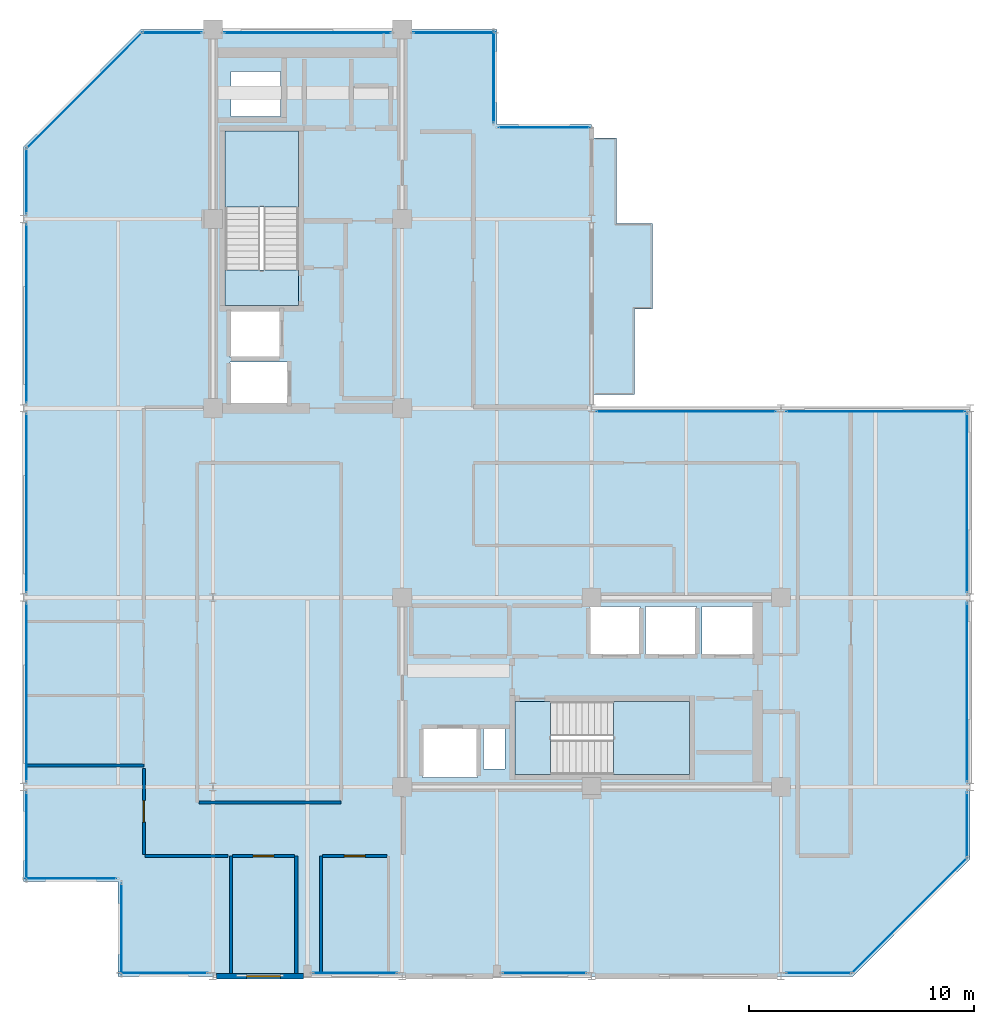
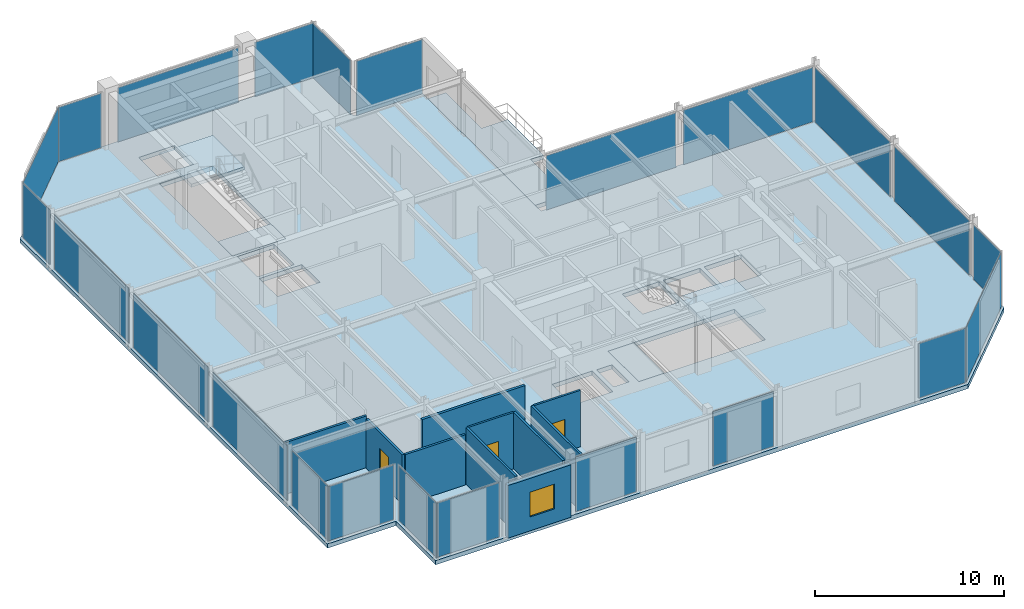
# One storey, part 20 of 26: 23 plates, 10 walls, 6 slabs, 3 doors, 1 window, 4 openings, 25 elements without a shape of their own.
"""IFC4 building model written with IfcOpenShell, lengths in metres."""

from ifc_helpers import new_model, si_unit, direction, frame, frame_2d, origin, origin_2d, place, context, subcontext, project, spatial, polyline, rectangle, outline, extrude, material, layer, layer_set, type_object, element, fill, aggregate, save


model = new_model("IFC4")

# Units and contexts
model_context = context("Model", 3, precision=1e-05, world=origin(), true_north=direction((0.0, 1.0)))
body_context = subcontext(model_context, "Body", "Model", "MODEL_VIEW")
ifc_project = project(units=[si_unit("LENGTHUNIT", "METRE"), si_unit("AREAUNIT", "SQUARE_METRE"), si_unit("VOLUMEUNIT", "CUBIC_METRE"), si_unit("PLANEANGLEUNIT", "RADIAN"), si_unit("MASSUNIT", "GRAM", prefix="KILO")], contexts=[model_context])

# Site, building, storey
site_placement = place(None, origin())
site = spatial("IfcSite", under=ifc_project, at=site_placement, CompositionType="ELEMENT")
building_placement = place(site_placement, origin())
building = spatial("IfcBuilding", under=site, at=building_placement, Name="Nerrivon Quay Data Exchange", CompositionType="ELEMENT")
storey_placement = place(building_placement, frame((0.0, 0.0, 282.199951171875)))
storey = spatial("IfcBuildingStorey", under=building, at=storey_placement, Name="L67", CompositionType="ELEMENT", Elevation=282.199951171875)

# Curtain wall, plate
ifc_material_1 = material(Name="Anodised aluminium 6063-T6", Category="aluminium")
ifc_layer_1 = layer(ifc_material_1, 0.195068359375)
ifc_layer_set_1 = layer_set([ifc_layer_1], Name="Anodised aluminium 6063-T6")
curtain_wall_type = type_object("IfcCurtainWallType", Name="CW-SYS-06", PredefinedType="NOTDEFINED", material=ifc_layer_set_1)
curtain_wall_1_placement = place(storey_placement, origin())
curtain_wall_1 = element("IfcCurtainWall", 1, at=curtain_wall_1_placement, inside=storey, type_object=curtain_wall_type, Name="L67 Unitised Curtain Wall 1", PredefinedType="NOTDEFINED")
ifc_material_2 = material(Name="Double-glazed low-E solar control glass", Category="glass")
ifc_layer_2 = layer(ifc_material_2, 0.028076171875)
ifc_layer_set_2 = layer_set([ifc_layer_2], Name="Double-glazed low-E solar control glass")
plate_type = type_object("IfcPlateType", Name="CWP-GLZ-28", PredefinedType="CURTAIN_PANEL", material=ifc_layer_set_2)
plate_1_placement = place(storey_placement, frame((39.301025390625, 2.698974609375, 0.06494140625), z_axis=(0.0, 0.0, 1.0), x_axis=(-0.707106781187, -0.707106781187, 0.0)))
plate_1 = element("IfcPlate", 2, at=plate_1_placement, type_object=plate_type, Name="CW06 panel 1.1", PredefinedType="CURTAIN_PANEL", context=body_context, shape_type="SweptSolid", body=[
    extrude(rectangle(XDim=7.203857421875, YDim=0.028076171875, at=origin_2d()), origin(), (0.0, 0.0, 1.0), 3.52001953125),
])
aggregate(curtain_wall_1, [plate_1])

curtain_wall_2_placement = place(storey_placement, origin())
curtain_wall_2 = element("IfcCurtainWall", 3, at=curtain_wall_2_placement, inside=storey, type_object=curtain_wall_type, Name="L67 Unitised Curtain Wall 2", PredefinedType="NOTDEFINED")
plate_2_placement = place(storey_placement, frame((35.27783203125, 0.139892578125, 0.06494140625), z_axis=(0.0, 0.0, 1.0), x_axis=(-1.0, 0.0, 0.0)))
plate_2 = element("IfcPlate", 4, at=plate_2_placement, type_object=plate_type, Name="CW06 panel 1.1", PredefinedType="CURTAIN_PANEL", context=body_context, shape_type="SweptSolid", body=[
    extrude(rectangle(XDim=2.89453125, YDim=0.028076171875, at=origin_2d()), origin(), (0.0, 0.0, 1.0), 3.52001953125),
])
aggregate(curtain_wall_2, [plate_2])

curtain_wall_3_placement = place(storey_placement, origin())
curtain_wall_3 = element("IfcCurtainWall", 5, at=curtain_wall_3_placement, inside=storey, type_object=curtain_wall_type, Name="L67 Unitised Curtain Wall 4", PredefinedType="NOTDEFINED")
plate_3_placement = place(storey_placement, frame((23.10986328125, 0.139892578125, 0.06494140625), z_axis=(0.0, 0.0, 1.0), x_axis=(-1.0, 0.0, 0.0)))
plate_3 = element("IfcPlate", 6, at=plate_3_placement, type_object=plate_type, Name="CW06 panel 1.1", PredefinedType="CURTAIN_PANEL", context=body_context, shape_type="SweptSolid", body=[
    extrude(rectangle(XDim=3.719482421875, YDim=0.028076171875, at=origin_2d()), origin(), (0.0, 0.0, 1.0), 3.52001953125),
])
aggregate(curtain_wall_3, [plate_3])

curtain_wall_4_placement = place(storey_placement, origin())
curtain_wall_4 = element("IfcCurtainWall", 7, at=curtain_wall_4_placement, inside=storey, type_object=curtain_wall_type, Name="L67 Unitised Curtain Wall 6", PredefinedType="NOTDEFINED")
plate_4_placement = place(storey_placement, frame((14.709716796875, 0.139892578125, 0.06494140625), z_axis=(0.0, 0.0, 1.0), x_axis=(-1.0, 0.0, 0.0)))
plate_4 = element("IfcPlate", 8, at=plate_4_placement, type_object=plate_type, Name="CW06 panel 1.1", PredefinedType="CURTAIN_PANEL", context=body_context, shape_type="SweptSolid", body=[
    extrude(rectangle(XDim=3.719482421875, YDim=0.028076171875, at=origin_2d()), origin(), (0.0, 0.0, 1.0), 3.52001953125),
])
aggregate(curtain_wall_4, [plate_4])

curtain_wall_5_placement = place(storey_placement, origin())
curtain_wall_5 = element("IfcCurtainWall", 9, at=curtain_wall_5_placement, inside=storey, type_object=curtain_wall_type, Name="L67 Unitised Curtain Wall 8", PredefinedType="NOTDEFINED")
plate_5_placement = place(storey_placement, frame((6.22216796875, 0.139892578125, 0.06494140625), z_axis=(0.0, 0.0, 1.0), x_axis=(-1.0, 0.0, 0.0)))
plate_5 = element("IfcPlate", 10, at=plate_5_placement, type_object=plate_type, Name="CW06 panel 1.1", PredefinedType="CURTAIN_PANEL", context=body_context, shape_type="SweptSolid", body=[
    extrude(rectangle(XDim=3.89453125, YDim=0.028076171875, at=origin_2d()), origin(), (0.0, 0.0, 1.0), 3.52001953125),
])
aggregate(curtain_wall_5, [plate_5])

curtain_wall_6_placement = place(storey_placement, origin())
curtain_wall_6 = element("IfcCurtainWall", 11, at=curtain_wall_6_placement, inside=storey, type_object=curtain_wall_type, Name="L67 Unitised Curtain Wall 9", PredefinedType="NOTDEFINED")
plate_6_placement = place(storey_placement, frame((4.340087890625, 2.10009765625, 0.06494140625), z_axis=(0.0, 0.0, 1.0), x_axis=(0.0, 1.0, 0.0)))
plate_6 = element("IfcPlate", 12, at=plate_6_placement, type_object=plate_type, Name="CW06 panel 1.1", PredefinedType="CURTAIN_PANEL", context=body_context, shape_type="SweptSolid", body=[
    extrude(rectangle(XDim=4.050048828125, YDim=0.028076171875, at=origin_2d()), origin(), (0.0, 0.0, 1.0), 3.52001953125),
])
aggregate(curtain_wall_6, [plate_6])

curtain_wall_7_placement = place(storey_placement, origin())
curtain_wall_7 = element("IfcCurtainWall", 13, at=curtain_wall_7_placement, inside=storey, type_object=curtain_wall_type, Name="L67 Unitised Curtain Wall 10", PredefinedType="NOTDEFINED")
plate_7_placement = place(storey_placement, frame((2.10009765625, 4.340087890625, 0.06494140625), z_axis=(0.0, 0.0, 1.0), x_axis=(-1.0, 0.0, 0.0)))
plate_7 = element("IfcPlate", 14, at=plate_7_placement, type_object=plate_type, Name="CW06 panel 1.1", PredefinedType="CURTAIN_PANEL", context=body_context, shape_type="SweptSolid", body=[
    extrude(rectangle(XDim=4.050048828125, YDim=0.028076171875, at=origin_2d()), origin(), (0.0, 0.0, 1.0), 3.52001953125),
])
aggregate(curtain_wall_7, [plate_7])

curtain_wall_8_placement = place(storey_placement, origin())
curtain_wall_8 = element("IfcCurtainWall", 15, at=curtain_wall_8_placement, inside=storey, type_object=curtain_wall_type, Name="L67 Unitised Curtain Wall 11", PredefinedType="NOTDEFINED")
plate_8_placement = place(storey_placement, frame((0.139892578125, 6.21826171875, 0.06494140625), z_axis=(0.0, 0.0, 1.0), x_axis=(0.0, 1.0, 0.0)))
plate_8 = element("IfcPlate", 16, at=plate_8_placement, type_object=plate_type, Name="CW06 panel 1.1", PredefinedType="CURTAIN_PANEL", context=body_context, shape_type="SweptSolid", body=[
    extrude(rectangle(XDim=3.886474609375, YDim=0.028076171875, at=origin_2d()), origin(), (0.0, 0.0, 1.0), 3.52001953125),
])
aggregate(curtain_wall_8, [plate_8])

curtain_wall_9_placement = place(storey_placement, origin())
curtain_wall_9 = element("IfcCurtainWall", 17, at=curtain_wall_9_placement, inside=storey, type_object=curtain_wall_type, Name="L67 Unitised Curtain Wall 12", PredefinedType="NOTDEFINED")
plate_9_placement = place(storey_placement, frame((0.139892578125, 12.60009765625, 0.06494140625), z_axis=(0.0, 0.0, 1.0), x_axis=(0.0, 1.0, 0.0)))
plate_9 = element("IfcPlate", 18, at=plate_9_placement, type_object=plate_type, Name="CW06 panel 1.1", PredefinedType="CURTAIN_PANEL", context=body_context, shape_type="SweptSolid", body=[
    extrude(rectangle(XDim=7.923095703125, YDim=0.028076171875, at=origin_2d()), origin(), (0.0, 0.0, 1.0), 3.52001953125),
])
aggregate(curtain_wall_9, [plate_9])

curtain_wall_10_placement = place(storey_placement, origin())
curtain_wall_10 = element("IfcCurtainWall", 19, at=curtain_wall_10_placement, inside=storey, type_object=curtain_wall_type, Name="L67 Unitised Curtain Wall 13", PredefinedType="NOTDEFINED")
plate_10_placement = place(storey_placement, frame((0.139892578125, 21.0, 0.06494140625), z_axis=(0.0, 0.0, 1.0), x_axis=(0.0, 1.0, 0.0)))
plate_10 = element("IfcPlate", 20, at=plate_10_placement, type_object=plate_type, Name="CW06 panel 1.1", PredefinedType="CURTAIN_PANEL", context=body_context, shape_type="SweptSolid", body=[
    extrude(rectangle(XDim=7.923095703125, YDim=0.028076171875, at=origin_2d()), origin(), (0.0, 0.0, 1.0), 3.52001953125),
])
aggregate(curtain_wall_10, [plate_10])

curtain_wall_11_placement = place(storey_placement, origin())
curtain_wall_11 = element("IfcCurtainWall", 21, at=curtain_wall_11_placement, inside=storey, type_object=curtain_wall_type, Name="L67 Unitised Curtain Wall 14", PredefinedType="NOTDEFINED")
plate_11_placement = place(storey_placement, frame((0.139892578125, 29.39990234375, 0.06494140625), z_axis=(0.0, 0.0, 1.0), x_axis=(0.0, 1.0, 0.0)))
plate_11 = element("IfcPlate", 22, at=plate_11_placement, type_object=plate_type, Name="CW06 panel 1.1", PredefinedType="CURTAIN_PANEL", context=body_context, shape_type="SweptSolid", body=[
    extrude(rectangle(XDim=7.923095703125, YDim=0.028076171875, at=origin_2d()), origin(), (0.0, 0.0, 1.0), 3.52001953125),
])
aggregate(curtain_wall_11, [plate_11])

curtain_wall_12_placement = place(storey_placement, origin())
curtain_wall_12 = element("IfcCurtainWall", 23, at=curtain_wall_12_placement, inside=storey, type_object=curtain_wall_type, Name="L67 Unitised Curtain Wall 15", PredefinedType="NOTDEFINED")
plate_12_placement = place(storey_placement, frame((0.139892578125, 35.28173828125, 0.06494140625), z_axis=(0.0, 0.0, 1.0), x_axis=(0.0, 1.0, 0.0)))
plate_12 = element("IfcPlate", 24, at=plate_12_placement, type_object=plate_type, Name="CW06 panel 1.1", PredefinedType="CURTAIN_PANEL", context=body_context, shape_type="SweptSolid", body=[
    extrude(rectangle(XDim=2.886474609375, YDim=0.028076171875, at=origin_2d()), origin(), (0.0, 0.0, 1.0), 3.52001953125),
])
aggregate(curtain_wall_12, [plate_12])

curtain_wall_13_placement = place(storey_placement, origin())
curtain_wall_13 = element("IfcCurtainWall", 25, at=curtain_wall_13_placement, inside=storey, type_object=curtain_wall_type, Name="L67 Unitised Curtain Wall 16", PredefinedType="NOTDEFINED")
plate_13_placement = place(storey_placement, frame((2.698974609375, 39.301025390625, 0.06494140625), z_axis=(0.0, 0.0, 1.0), x_axis=(0.707106781187, 0.707106781187, 0.0)))
plate_13 = element("IfcPlate", 26, at=plate_13_placement, type_object=plate_type, Name="CW06 panel 1.1", PredefinedType="CURTAIN_PANEL", context=body_context, shape_type="SweptSolid", body=[
    extrude(rectangle(XDim=7.203857421875, YDim=0.028076171875, at=origin_2d()), origin(), (0.0, 0.0, 1.0), 3.52001953125),
])
aggregate(curtain_wall_13, [plate_13])

curtain_wall_14_placement = place(storey_placement, origin())
curtain_wall_14 = element("IfcCurtainWall", 27, at=curtain_wall_14_placement, inside=storey, type_object=curtain_wall_type, Name="L67 Unitised Curtain Wall 17", PredefinedType="NOTDEFINED")
plate_14_placement = place(storey_placement, frame((6.58740234375, 41.860107421875, 0.06494140625), z_axis=(0.0, 0.0, 1.0), x_axis=(1.0, 0.0, 0.0)))
plate_14 = element("IfcPlate", 28, at=plate_14_placement, type_object=plate_type, Name="CW06 panel 1.1", PredefinedType="CURTAIN_PANEL", context=body_context, shape_type="SweptSolid", body=[
    extrude(rectangle(XDim=2.625, YDim=0.028076171875, at=origin_2d()), origin(), (0.0, 0.0, 1.0), 3.52001953125),
])
aggregate(curtain_wall_14, [plate_14])

curtain_wall_15_placement = place(storey_placement, origin())
curtain_wall_15 = element("IfcCurtainWall", 29, at=curtain_wall_15_placement, inside=storey, type_object=curtain_wall_type, Name="L67 Unitised Curtain Wall 18", PredefinedType="NOTDEFINED")
plate_15_placement = place(storey_placement, frame((12.60009765625, 41.860107421875, 0.06494140625), z_axis=(0.0, 0.0, 1.0), x_axis=(1.0, 0.0, 0.0)))
plate_15 = element("IfcPlate", 30, at=plate_15_placement, type_object=plate_type, Name="CW06 panel 1.1", PredefinedType="CURTAIN_PANEL", context=body_context, shape_type="SweptSolid", body=[
    extrude(rectangle(XDim=7.39990234375, YDim=0.028076171875, at=origin_2d()), origin(), (0.0, 0.0, 1.0), 3.52001953125),
])
aggregate(curtain_wall_15, [plate_15])

curtain_wall_16_placement = place(storey_placement, origin())
curtain_wall_16 = element("IfcCurtainWall", 31, at=curtain_wall_16_placement, inside=storey, type_object=curtain_wall_type, Name="L67 Unitised Curtain Wall 19", PredefinedType="NOTDEFINED")
plate_16_placement = place(storey_placement, frame((19.112548828125, 41.860107421875, 0.06494140625), z_axis=(0.0, 0.0, 1.0), x_axis=(1.0, 0.0, 0.0)))
plate_16 = element("IfcPlate", 32, at=plate_16_placement, type_object=plate_type, Name="CW06 panel 1.1", PredefinedType="CURTAIN_PANEL", context=body_context, shape_type="SweptSolid", body=[
    extrude(rectangle(XDim=3.625, YDim=0.028076171875, at=origin_2d()), origin(), (0.0, 0.0, 1.0), 3.52001953125),
])
aggregate(curtain_wall_16, [plate_16])

curtain_wall_17_placement = place(storey_placement, origin())
curtain_wall_17 = element("IfcCurtainWall", 33, at=curtain_wall_17_placement, inside=storey, type_object=curtain_wall_type, Name="L67 Unitised Curtain Wall 20", PredefinedType="NOTDEFINED")
plate_17_placement = place(storey_placement, frame((20.860107421875, 39.89990234375, 0.06494140625), z_axis=(0.0, 0.0, 1.0), x_axis=(0.0, -1.0, 0.0)))
plate_17 = element("IfcPlate", 34, at=plate_17_placement, type_object=plate_type, Name="CW06 panel 1.1", PredefinedType="CURTAIN_PANEL", context=body_context, shape_type="SweptSolid", body=[
    extrude(rectangle(XDim=4.050048828125, YDim=0.028076171875, at=origin_2d()), origin(), (0.0, 0.0, 1.0), 3.52001953125),
])
aggregate(curtain_wall_17, [plate_17])

curtain_wall_18_placement = place(storey_placement, origin())
curtain_wall_18 = element("IfcCurtainWall", 35, at=curtain_wall_18_placement, inside=storey, type_object=curtain_wall_type, Name="L67 Unitised Curtain Wall 21", PredefinedType="NOTDEFINED")
plate_18_placement = place(storey_placement, frame((23.10009765625, 37.659912109375, 0.06494140625), z_axis=(0.0, 0.0, 1.0), x_axis=(1.0, 0.0, 0.0)))
plate_18 = element("IfcPlate", 36, at=plate_18_placement, type_object=plate_type, Name="CW06 panel 1.1", PredefinedType="CURTAIN_PANEL", context=body_context, shape_type="SweptSolid", body=[
    extrude(rectangle(XDim=4.050048828125, YDim=0.028076171875, at=origin_2d()), origin(), (0.0, 0.0, 1.0), 3.52001953125),
])
aggregate(curtain_wall_18, [plate_18])

curtain_wall_19_placement = place(storey_placement, origin())
curtain_wall_19 = element("IfcCurtainWall", 37, at=curtain_wall_19_placement, inside=storey, type_object=curtain_wall_type, Name="L67 Unitised Curtain Wall 24", PredefinedType="NOTDEFINED")
plate_19_placement = place(storey_placement, frame((29.39990234375, 25.06005859375, 0.06494140625), z_axis=(0.0, 0.0, 1.0), x_axis=(1.0, 0.0, 0.0)))
plate_19 = element("IfcPlate", 38, at=plate_19_placement, type_object=plate_type, Name="CW06 panel 1.1", PredefinedType="CURTAIN_PANEL", context=body_context, shape_type="SweptSolid", body=[
    extrude(rectangle(XDim=7.93896484375, YDim=0.028076171875, at=origin_2d()), origin(), (0.0, 0.0, 1.0), 3.52001953125),
])
aggregate(curtain_wall_19, [plate_19])

curtain_wall_20_placement = place(storey_placement, origin())
curtain_wall_20 = element("IfcCurtainWall", 39, at=curtain_wall_20_placement, inside=storey, type_object=curtain_wall_type, Name="L67 Unitised Curtain Wall 25", PredefinedType="NOTDEFINED")
plate_20_placement = place(storey_placement, frame((37.800048828125, 25.06005859375, 0.06494140625), z_axis=(0.0, 0.0, 1.0), x_axis=(1.0, 0.0, 0.0)))
plate_20 = element("IfcPlate", 40, at=plate_20_placement, type_object=plate_type, Name="CW06 panel 1.1", PredefinedType="CURTAIN_PANEL", context=body_context, shape_type="SweptSolid", body=[
    extrude(rectangle(XDim=7.93896484375, YDim=0.028076171875, at=origin_2d()), origin(), (0.0, 0.0, 1.0), 3.52001953125),
])
aggregate(curtain_wall_20, [plate_20])

curtain_wall_21_placement = place(storey_placement, origin())
curtain_wall_21 = element("IfcCurtainWall", 41, at=curtain_wall_21_placement, inside=storey, type_object=curtain_wall_type, Name="L67 Unitised Curtain Wall 26", PredefinedType="NOTDEFINED")
plate_21_placement = place(storey_placement, frame((41.860107421875, 21.0, 0.06494140625), z_axis=(0.0, 0.0, 1.0), x_axis=(0.0, -1.0, 0.0)))
plate_21 = element("IfcPlate", 42, at=plate_21_placement, type_object=plate_type, Name="CW06 panel 1.1", PredefinedType="CURTAIN_PANEL", context=body_context, shape_type="SweptSolid", body=[
    extrude(rectangle(XDim=7.923095703125, YDim=0.028076171875, at=origin_2d()), origin(), (0.0, 0.0, 1.0), 3.52001953125),
])
aggregate(curtain_wall_21, [plate_21])

curtain_wall_22_placement = place(storey_placement, origin())
curtain_wall_22 = element("IfcCurtainWall", 43, at=curtain_wall_22_placement, inside=storey, type_object=curtain_wall_type, Name="L67 Unitised Curtain Wall 27", PredefinedType="NOTDEFINED")
plate_22_placement = place(storey_placement, frame((41.860107421875, 12.60009765625, 0.06494140625), z_axis=(0.0, 0.0, 1.0), x_axis=(0.0, -1.0, 0.0)))
plate_22 = element("IfcPlate", 44, at=plate_22_placement, type_object=plate_type, Name="CW06 panel 1.1", PredefinedType="CURTAIN_PANEL", context=body_context, shape_type="SweptSolid", body=[
    extrude(rectangle(XDim=7.923095703125, YDim=0.028076171875, at=origin_2d()), origin(), (0.0, 0.0, 1.0), 3.52001953125),
])
aggregate(curtain_wall_22, [plate_22])

curtain_wall_23_placement = place(storey_placement, origin())
curtain_wall_23 = element("IfcCurtainWall", 45, at=curtain_wall_23_placement, inside=storey, type_object=curtain_wall_type, Name="L67 Unitised Curtain Wall 28", PredefinedType="NOTDEFINED")
plate_23_placement = place(storey_placement, frame((41.860107421875, 6.71826171875, 0.06494140625), z_axis=(0.0, 0.0, 1.0), x_axis=(0.0, -1.0, 0.0)))
plate_23 = element("IfcPlate", 46, at=plate_23_placement, type_object=plate_type, Name="CW06 panel 1.1", PredefinedType="CURTAIN_PANEL", context=body_context, shape_type="SweptSolid", body=[
    extrude(rectangle(XDim=2.886474609375, YDim=0.028076171875, at=origin_2d()), origin(), (0.0, 0.0, 1.0), 3.52001953125),
])
aggregate(curtain_wall_23, [plate_23])

# Slab
ifc_material_3 = material(Name="Precast white architectural concrete N50 (50 MPa)", Category="concrete")
ifc_layer_3 = layer(ifc_material_3, 0.25)
ifc_layer_set_3 = layer_set([ifc_layer_3], Name="Precast white architectural concrete N50 (50 MPa)")
slab_type_1 = type_object("IfcSlabType", Name="SLB-BAL-250", PredefinedType="FLOOR", material=ifc_layer_set_3)
slab_1_placement = place(storey_placement, frame((0.0, 0.0, -0.25)))
element("IfcSlab", 47, at=slab_1_placement, inside=storey, type_object=slab_type_1, Name="L67 Waterfront Subtropical Verandah", PredefinedType="FLOOR", context=body_context, shape_type="SweptSolid", body=[
    extrude(outline(polyline([(27.10009765625, 29.60009765625), (27.89990234375, 29.60009765625), (27.89990234375, 33.39990234375), (26.300048828125, 33.39990234375), (26.300048828125, 37.199951171875), (25.199951171875, 37.199951171875), (25.199951171875, 33.39990234375), (25.199951171875, 29.60009765625), (25.199951171875, 25.800048828125), (27.10009765625, 25.800048828125), (27.10009765625, 29.60009765625)])), origin(), (0.0, 0.0, 1.0), 0.25),
])

# Stair, slab
ifc_material_4 = material(Name="Concrete N50 (50 MPa)", Category="concrete")
stair_type = type_object("IfcStairType", Name="STAIR-DOG-40", PredefinedType="HALF_TURN_STAIR", material=ifc_material_4)
stair_1_placement = place(storey_placement, origin())
stair_1 = element("IfcStair", 48, at=stair_1_placement, inside=storey, type_object=stair_type, Name="L67 West Core Fire Stair ST01", PredefinedType="HALF_TURN_STAIR")
ifc_layer_4 = layer(ifc_material_4, 0.199951171875)
ifc_layer_set_4 = layer_set([ifc_layer_4], Name="Concrete N50 (50 MPa)")
slab_type_2 = type_object("IfcSlabType", Name="SLB-LAND-200", PredefinedType="LANDING", material=ifc_layer_set_4)
slab_2_placement = place(storey_placement, frame((0.0, 0.0, 1.800048828125)))
slab_2 = element("IfcSlab", 49, at=slab_2_placement, type_object=slab_type_2, Name="ST01 landing 1", PredefinedType="LANDING", context=body_context, shape_type="SweptSolid", body=[
    extrude(outline(polyline([(12.199951171875, 34.1298828125), (12.199951171875, 37.5), (8.949951171875, 37.5), (8.949951171875, 34.1298828125), (12.199951171875, 34.1298828125)])), origin(), (0.0, 0.0, 1.0), 0.199951171875),
])
aggregate(stair_1, [slab_2])

# Slab
slab_3_placement = place(storey_placement, frame((0.0, 0.0, -0.199951171875)))
element("IfcSlab", 50, at=slab_3_placement, inside=storey, type_object=slab_type_2, Name="L67 ST01 floor landing", PredefinedType="LANDING", context=body_context, shape_type="SweptSolid", body=[
    extrude(outline(polyline([(12.199951171875, 29.75), (12.199951171875, 31.330078125), (8.949951171875, 31.330078125), (8.949951171875, 29.75), (12.199951171875, 29.75)])), origin(), (0.0, 0.0, 1.0), 0.199951171875),
])

# Stair, slab
stair_2_placement = place(storey_placement, origin())
stair_2 = element("IfcStair", 51, at=stair_2_placement, inside=storey, type_object=stair_type, Name="L67 East Core Fire Stair ST02", PredefinedType="HALF_TURN_STAIR")
slab_4_placement = place(storey_placement, frame((0.0, 0.0, 1.800048828125)))
slab_4 = element("IfcSlab", 52, at=slab_4_placement, type_object=slab_type_2, Name="ST02 landing 1", PredefinedType="LANDING", context=body_context, shape_type="SweptSolid", body=[
    extrude(outline(polyline([(26.179931640625, 8.949951171875), (29.550048828125, 8.949951171875), (29.550048828125, 12.199951171875), (26.179931640625, 12.199951171875), (26.179931640625, 8.949951171875)])), origin(), (0.0, 0.0, 1.0), 0.199951171875),
])
aggregate(stair_2, [slab_4])

# Slabs
slab_5_placement = place(storey_placement, frame((0.0, 0.0, -0.199951171875)))
element("IfcSlab", 53, at=slab_5_placement, inside=storey, type_object=slab_type_2, Name="L67 ST02 floor landing", PredefinedType="LANDING", context=body_context, shape_type="SweptSolid", body=[
    extrude(outline(polyline([(21.800048828125, 8.949951171875), (23.3798828125, 8.949951171875), (23.3798828125, 12.199951171875), (21.800048828125, 12.199951171875), (21.800048828125, 8.949951171875)])), origin(), (0.0, 0.0, 1.0), 0.199951171875),
])
ifc_layer_5 = layer(ifc_material_4, 0.27490234375)
ifc_layer_set_5 = layer_set([ifc_layer_5], Name="Concrete N50 (50 MPa)")
slab_type_3 = type_object("IfcSlabType", Name="SLB-TOW-275", PredefinedType="FLOOR", material=ifc_layer_set_5)
slab_6_placement = place(storey_placement, frame((0.0, 0.0, -0.27490234375)))
element("IfcSlab", 54, at=slab_6_placement, inside=storey, type_object=slab_type_3, Name="L67 Primary Structural Slab", PredefinedType="FLOOR", context=body_context, shape_type="SweptSolid", body=[
    extrude(outline(polyline([(42.0, 25.199951171875), (25.199951171875, 25.199951171875), (25.199951171875, 37.800048828125), (21.0, 37.800048828125), (21.0, 42.0), (5.199951171875, 42.0), (0.0, 36.800048828125), (0.0, 4.199951171875), (4.199951171875, 4.199951171875), (4.199951171875, 0.0), (36.800048828125, 0.0), (42.0, 5.199951171875), (42.0, 25.199951171875)]), holes=[polyline([(8.949951171875, 29.75), (8.949951171875, 37.5), (12.199951171875, 37.5), (12.199951171875, 29.75), (8.949951171875, 29.75)]), polyline([(21.800048828125, 12.199951171875), (29.550048828125, 12.199951171875), (29.550048828125, 8.949951171875), (21.800048828125, 8.949951171875), (21.800048828125, 12.199951171875)]), polyline([(30.10009765625, 14.25), (30.10009765625, 16.39990234375), (32.35009765625, 16.39990234375), (32.35009765625, 14.25), (30.10009765625, 14.25)]), polyline([(27.60009765625, 14.25), (27.60009765625, 16.39990234375), (29.85009765625, 16.39990234375), (29.85009765625, 14.25), (27.60009765625, 14.25)]), polyline([(25.10009765625, 14.25), (25.10009765625, 16.39990234375), (27.35009765625, 16.39990234375), (27.35009765625, 14.25), (25.10009765625, 14.25)]), polyline([(20.39990234375, 9.199951171875), (20.39990234375, 11.0), (21.35009765625, 11.0), (21.35009765625, 9.199951171875), (20.39990234375, 9.199951171875)]), polyline([(17.699951171875, 8.830078125), (17.699951171875, 11.030029296875), (20.14990234375, 11.030029296875), (20.14990234375, 8.830078125), (17.699951171875, 8.830078125)]), polyline([(9.14990234375, 25.35009765625), (9.14990234375, 27.25), (11.75, 27.25), (11.75, 25.35009765625), (9.14990234375, 25.35009765625)]), polyline([(9.14990234375, 27.449951171875), (9.14990234375, 29.60009765625), (11.39990234375, 29.60009765625), (11.39990234375, 27.449951171875), (9.14990234375, 27.449951171875)]), polyline([(9.199951171875, 38.14990234375), (9.199951171875, 40.14990234375), (11.39990234375, 40.14990234375), (11.39990234375, 38.14990234375), (9.199951171875, 38.14990234375)])]), origin(), (0.0, 0.0, 1.0), 0.27490234375),
])

# Wall, opening, window
ifc_material_5 = material(Name="Architectural terracotta precast concrete N50 (50 MPa)", Category="masonry")
ifc_layer_6 = layer(ifc_material_5, 0.239990234375)
ifc_layer_set_6 = layer_set([ifc_layer_6], Name="Architectural terracotta precast concrete N50 (50 MPa)")
wall_type_1 = type_object("IfcWallType", Name="EW-PREC-240", PredefinedType="STANDARD", material=ifc_layer_set_6)
wall_1_placement = place(storey_placement, frame((12.425048828125, 0.0, 0.0), z_axis=(0.0, 0.0, 1.0), x_axis=(-1.0, 0.0, 0.0)))
wall_1 = element("IfcWall", 55, at=wall_1_placement, inside=storey, type_object=wall_type_1, Name="L67 Podium Precast Spandrel Wall 7", PredefinedType="STANDARD", context=body_context, shape_type="SweptSolid", body=[
    extrude(rectangle(XDim=3.86962890625, YDim=0.239990234375, at=frame_2d((1.934814453125, 0.0))), origin(), (0.0, 0.0, 1.0), 3.400146484375),
])
opening_1_placement = place(wall_1_placement, frame((1.02490234375, 0.0, 0.89990234375)))
opening_1 = element("IfcOpeningElement", 56, at=opening_1_placement, cuts=wall_1, Name="Opening WN4", PredefinedType="OPENING", context=body_context, shape_type="SweptSolid", body=[
    extrude(rectangle(XDim=1.5, YDim=1.60009765625, at=frame_2d((0.75, 0.800048828125))), frame((0.0, 0.1298828125, 0.0), z_axis=(0.0, -1.0, 0.0), x_axis=(1.0, 0.0, 0.0)), (0.0, 0.0, 1.0), 0.260009765625),
])
window_type = type_object("IfcWindowType", Name="WIN-W4-1500x1600", PartitioningType="SINGLE_PANEL", PredefinedType="WINDOW", material=ifc_material_2)
window_placement = place(opening_1_placement, origin())
window = element("IfcWindow", 57, at=window_placement, inside=storey, type_object=window_type, Name="L67 Solar Facade Window 7", OverallHeight=1.60009765625, OverallWidth=1.5, PartitioningType="SINGLE_PANEL", PredefinedType="WINDOW", context=body_context, shape_type="SweptSolid", body=[
    extrude(rectangle(XDim=1.5, YDim=1.60009765625, at=frame_2d((0.75, 0.800048828125))), frame((0.0, 0.030029296875, 0.0), z_axis=(0.0, -1.0, 0.0), x_axis=(1.0, 0.0, 0.0)), (0.0, 0.0, 1.0), 0.06005859375),
])
fill(opening_1, window)

# Wall, opening, door
ifc_material_6 = material(Name="Gypsum plasterboard on cold-formed framing", Category="gypsum")
ifc_layer_7 = layer(ifc_material_6, 0.1201171875)
ifc_layer_set_7 = layer_set([ifc_layer_7], Name="Gypsum plasterboard on cold-formed framing")
wall_type_2 = type_object("IfcWallType", Name="WALL-PT-120", PredefinedType="PARTITIONING", material=ifc_layer_set_7)
wall_2_placement = place(storey_placement, frame((12.028564453125, 5.340087890625, 0.0), z_axis=(0.0, 0.0, 1.0), x_axis=(-1.0, 0.0, 0.0)))
wall_2 = element("IfcWall", 58, at=wall_2_placement, inside=storey, type_object=wall_type_2, Name="L67 Partition Staff Shower Block", PredefinedType="PARTITIONING", context=body_context, shape_type="SweptSolid", body=[
    extrude(rectangle(XDim=2.757080078125, YDim=0.1201171875, at=frame_2d((1.37841796875, 0.0))), origin(), (0.0, 0.0, 1.0), 3.650146484375),
])
opening_2_placement = place(wall_2_placement, frame((0.91845703125, 0.0, 0.0)))
opening_2 = element("IfcOpeningElement", 59, at=opening_2_placement, cuts=wall_2, Name="Opening D-WC", PredefinedType="OPENING", context=body_context, shape_type="SweptSolid", body=[
    extrude(rectangle(XDim=0.919921875, YDim=2.10009765625, at=frame_2d((0.4599609375, 1.050048828125))), frame((0.0, 0.070068359375, 0.0), z_axis=(0.0, -1.0, 0.0), x_axis=(1.0, 0.0, 0.0)), (0.0, 0.0, 1.0), 0.14013671875),
])
ifc_material_7 = material(Name="Engineered hardwood timber", Category="wood")
door_type_1 = type_object("IfcDoorType", Name="DR-WC-920", OperationType="NOTDEFINED", PredefinedType="DOOR", material=ifc_material_7)
door_1_placement = place(opening_2_placement, origin())
door_1 = element("IfcDoor", 60, at=door_1_placement, inside=storey, type_object=door_type_1, Name="L67 Door Staff Shower Block", OperationType="SINGLE_SWING_RIGHT", OverallHeight=2.10009765625, OverallWidth=0.919921875, PredefinedType="DOOR", context=body_context, shape_type="SweptSolid", body=[
    extrude(rectangle(XDim=0.919921875, YDim=2.10009765625, at=frame_2d((0.4599609375, 1.050048828125))), frame((0.0, 0.02490234375, 0.0), z_axis=(0.0, -1.0, 0.0), x_axis=(1.0, 0.0, 0.0)), (0.0, 0.0, 1.0), 0.050048828125),
])
fill(opening_2, door_1)

wall_3_placement = place(storey_placement, frame((16.12841796875, 5.340087890625, 0.0), z_axis=(0.0, 0.0, 1.0), x_axis=(-1.0, 0.0, 0.0)))
wall_3 = element("IfcWall", 61, at=wall_3_placement, inside=storey, type_object=wall_type_2, Name="L67 Partition Accessible Unisex Toilet", PredefinedType="PARTITIONING", context=body_context, shape_type="SweptSolid", body=[
    extrude(rectangle(XDim=2.85693359375, YDim=0.1201171875, at=frame_2d((1.428466796875, 0.0))), origin(), (0.0, 0.0, 1.0), 3.650146484375),
])
opening_3_placement = place(wall_3_placement, frame((0.968505859375, 0.0, 0.0)))
opening_3 = element("IfcOpeningElement", 62, at=opening_3_placement, cuts=wall_3, Name="Opening D-WC", PredefinedType="OPENING", context=body_context, shape_type="SweptSolid", body=[
    extrude(rectangle(XDim=0.919921875, YDim=2.10009765625, at=frame_2d((0.4599609375, 1.050048828125))), frame((0.0, 0.070068359375, 0.0), z_axis=(0.0, -1.0, 0.0), x_axis=(1.0, 0.0, 0.0)), (0.0, 0.0, 1.0), 0.14013671875),
])
door_2_placement = place(opening_3_placement, origin())
door_2 = element("IfcDoor", 63, at=door_2_placement, inside=storey, type_object=door_type_1, Name="L67 Door Accessible Unisex Toilet", OperationType="SINGLE_SWING_LEFT", OverallHeight=2.10009765625, OverallWidth=0.919921875, PredefinedType="DOOR", context=body_context, shape_type="SweptSolid", body=[
    extrude(rectangle(XDim=0.919921875, YDim=2.10009765625, at=frame_2d((0.4599609375, 1.050048828125))), frame((0.0, 0.02490234375, 0.0), z_axis=(0.0, -1.0, 0.0), x_axis=(1.0, 0.0, 0.0)), (0.0, 0.0, 1.0), 0.050048828125),
])
fill(opening_3, door_2)

# Walls
ifc_layer_8 = layer(ifc_material_6, 0.135009765625)
ifc_layer_set_8 = layer_set([ifc_layer_8], Name="Gypsum plasterboard on cold-formed framing")
wall_type_3 = type_object("IfcWallType", Name="WALL-PT-135", PredefinedType="PARTITIONING", material=ifc_layer_set_8)
wall_4_placement = place(storey_placement, frame((0.1689453125, 9.35009765625, 0.0), z_axis=(0.0, 0.0, 1.0), x_axis=(1.0, 0.0, 0.0)))
element("IfcWall", 64, at=wall_4_placement, inside=storey, type_object=wall_type_3, Name="L67 Partition Accessible Toilet", PredefinedType="PARTITIONING", context=body_context, shape_type="SweptSolid", body=[
    extrude(rectangle(XDim=5.171142578125, YDim=0.135009765625, at=frame_2d((2.58544921875, 0.0))), origin(), (0.0, 0.0, 1.0), 3.345947265625),
])
for number, where, z_axis, x_axis, name in (
    (65, (9.199951171875, 5.340087890625, 0.0), (0.0, 0.0, 1.0), (0.0, -1.0, 0.0), "L67 Partition Staff Shower Block"),
    (66, (12.10009765625, 0.1240234375, 0.0), (0.0, 0.0, 1.0), (0.0, 1.0, 0.0), "L67 Partition Staff Shower Block"),
):
    element("IfcWall", number, at=place(storey_placement, frame(where, z_axis=z_axis, x_axis=x_axis)), inside=storey, type_object=wall_type_3, Name=name, PredefinedType="PARTITIONING", context=body_context, shape_type="SweptSolid", body=[
        extrude(rectangle(XDim=5.216064453125, YDim=0.135009765625, at=frame_2d((2.60791015625, 0.0))), origin(), (0.0, 0.0, 1.0), 3.650146484375),
    ])
wall_5_placement = place(storey_placement, frame((13.199951171875, 5.340087890625, 0.0), z_axis=(0.0, 0.0, 1.0), x_axis=(0.0, -1.0, 0.0)))
element("IfcWall", 67, at=wall_5_placement, inside=storey, type_object=wall_type_3, Name="L67 Partition Accessible Unisex Toilet", PredefinedType="PARTITIONING", context=body_context, shape_type="SweptSolid", body=[
    extrude(rectangle(XDim=5.171142578125, YDim=0.135009765625, at=frame_2d((2.58544921875, 0.0))), origin(), (0.0, 0.0, 1.0), 3.650146484375),
])
wall_6_placement = place(storey_placement, frame((9.080078125, 5.340087890625, 0.0), z_axis=(0.0, 0.0, 1.0), x_axis=(-1.0, 0.0, 0.0)))
element("IfcWall", 68, at=wall_6_placement, inside=storey, type_object=wall_type_3, Name="L67 Partition Staff Pantry", PredefinedType="PARTITIONING", context=body_context, shape_type="SweptSolid", body=[
    extrude(rectangle(XDim=3.68017578125, YDim=0.135009765625, at=frame_2d((1.840087890625, 0.0))), origin(), (0.0, 0.0, 1.0), 3.244140625),
])

# Wall, opening, door
wall_7_placement = place(storey_placement, frame((5.340087890625, 5.39990234375, 0.0), z_axis=(0.0, 0.0, 1.0), x_axis=(0.0, 1.0, 0.0)))
wall_7 = element("IfcWall", 69, at=wall_7_placement, inside=storey, type_object=wall_type_3, Name="L67 Partition Staff Pantry", PredefinedType="PARTITIONING", context=body_context, shape_type="SweptSolid", body=[
    extrude(rectangle(XDim=3.830078125, YDim=0.135009765625, at=frame_2d((1.9150390625, 0.0))), origin(), (0.0, 0.0, 1.0), 3.196044921875),
])
opening_4_placement = place(wall_7_placement, frame((1.43994140625, 0.0, 0.0)))
opening_4 = element("IfcOpeningElement", 70, at=opening_4_placement, cuts=wall_7, Name="Opening D-01", PredefinedType="OPENING", context=body_context, shape_type="SweptSolid", body=[
    extrude(rectangle(XDim=0.949951171875, YDim=2.14990234375, at=frame_2d((0.47509765625, 1.074951171875))), frame((0.0, 0.077392578125, 0.0), z_axis=(0.0, -1.0, 0.0), x_axis=(1.0, 0.0, 0.0)), (0.0, 0.0, 1.0), 0.155029296875),
])
door_type_2 = type_object("IfcDoorType", Name="DR-INT-950", OperationType="NOTDEFINED", PredefinedType="DOOR", material=ifc_material_7)
door_3_placement = place(opening_4_placement, origin())
door_3 = element("IfcDoor", 71, at=door_3_placement, inside=storey, type_object=door_type_2, Name="L67 Door Staff Pantry", OperationType="SINGLE_SWING_RIGHT", OverallHeight=2.14990234375, OverallWidth=0.949951171875, PredefinedType="DOOR", context=body_context, shape_type="SweptSolid", body=[
    extrude(rectangle(XDim=0.949951171875, YDim=2.14990234375, at=frame_2d((0.47509765625, 1.074951171875))), frame((0.0, 0.02490234375, 0.0), z_axis=(0.0, -1.0, 0.0), x_axis=(1.0, 0.0, 0.0)), (0.0, 0.0, 1.0), 0.050048828125),
])
fill(opening_4, door_3)

# Wall
ifc_layer_9 = layer(ifc_material_6, 0.14990234375)
ifc_layer_set_9 = layer_set([ifc_layer_9], Name="Gypsum plasterboard on cold-formed framing")
wall_type_4 = type_object("IfcWallType", Name="WALL-PT-150", PredefinedType="PARTITIONING", material=ifc_layer_set_9)
wall_8_placement = place(storey_placement, frame((7.7890625, 7.7099609375, 0.0), z_axis=(0.0, 0.0, 1.0), x_axis=(1.0, 0.0, 0.0)))
element("IfcWall", 72, at=wall_8_placement, inside=storey, type_object=wall_type_4, Name="L67 Partition Staff Bistro", PredefinedType="PARTITIONING", context=body_context, shape_type="SweptSolid", body=[
    extrude(rectangle(XDim=6.301025390625, YDim=0.14990234375, at=frame_2d((3.150390625, 0.0))), origin(), (0.0, 0.0, 1.0), 3.244140625),
])

save(model, "model.ifc")
